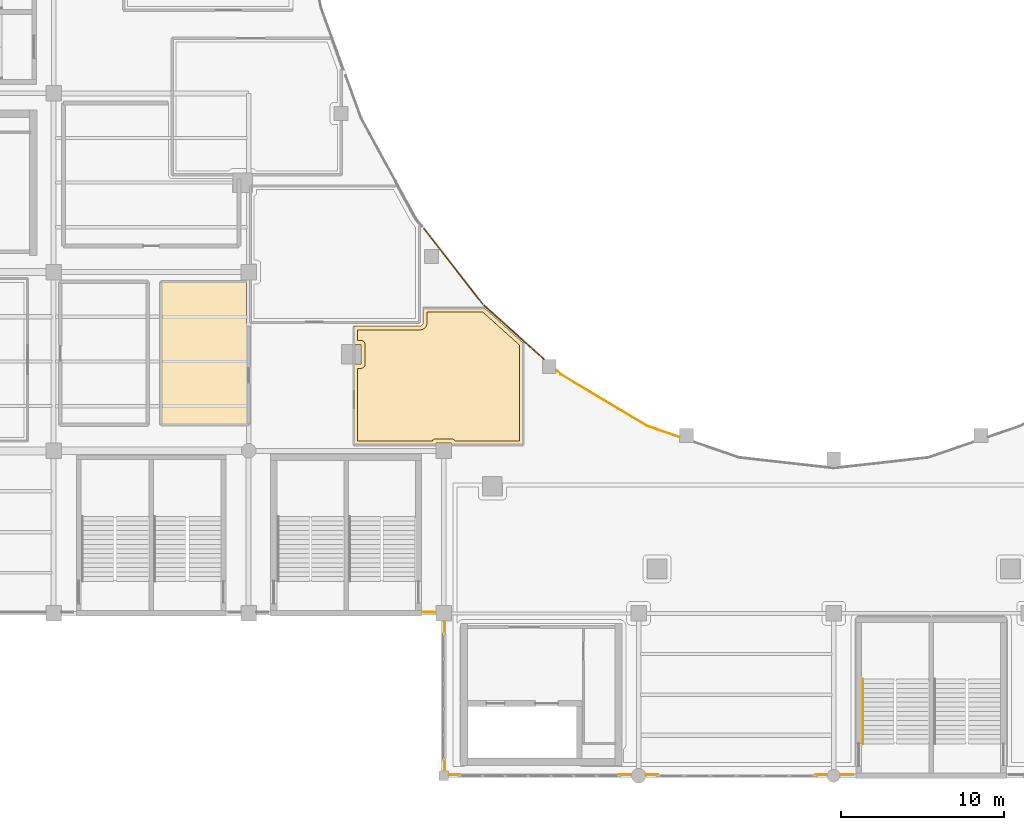
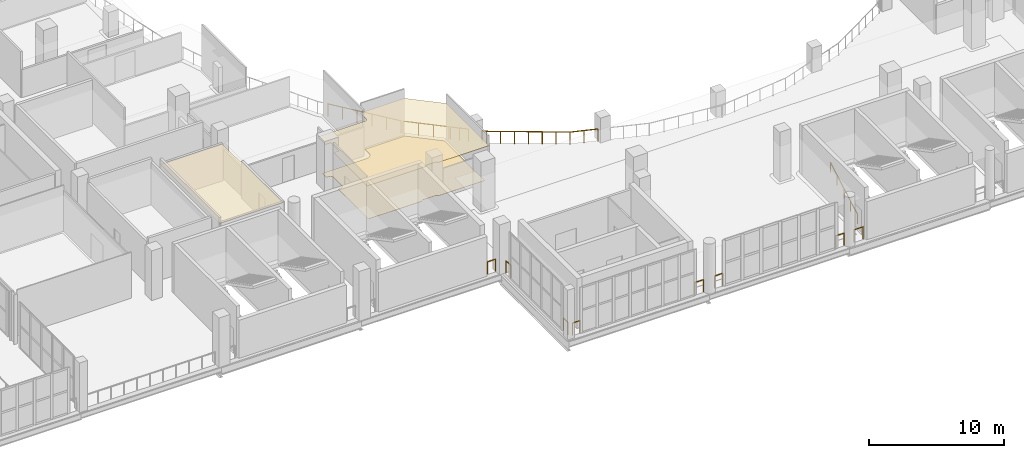
# One storey, part 78 of 90: 13 railings, 3 coverings.
"""IFC4 building model written with IfcOpenShell, lengths in metres."""

import ifcopenshell
import ifcopenshell.guid

model = None  # the IFC model being written
_history = None  # IfcOwnerHistory: only IFC2X3 demands one
_inside = {}  # id of a spatial element -> (the spatial element, [elements in it])
_under = {}  # id of a project, library or spatial element -> (it, [spatial elements below it])
_declared = {}  # id of a project -> (the project, [libraries it declares])
_typed = {}  # id of a type object -> (the type object, [elements of that type])
_made_of = {}  # id of a material, layer set ... -> (it, [elements and type objects made of it])


def new_model(schema):
    """Start an empty IFC model of exactly this schema.

    Asked for "IFC4X3", IfcOpenShell would pick the latest addendum, in which some entities
    have other attributes; the version numbers below select the first issue.
    IFC2X3 requires an IfcOwnerHistory on every rooted entity: one is made here for all.
    """
    global model, _history
    if schema == "IFC4X3":
        model = ifcopenshell.file(schema_version=(4, 3, 0, 0))
    else:
        model = ifcopenshell.file(schema=schema)
    _inside.clear()
    _under.clear()
    _declared.clear()
    _typed.clear()
    _made_of.clear()
    _history = None
    if model.schema == "IFC2X3":
        org = make("IfcOrganization", Name="unknown")
        user = make(
            "IfcPersonAndOrganization",
            ThePerson=make("IfcPerson", FamilyName="unknown"),
            TheOrganization=org,
        )
        app = make(
            "IfcApplication",
            ApplicationDeveloper=org,
            Version="unknown",
            ApplicationFullName="unknown",
            ApplicationIdentifier="unknown",
        )
        _history = make(
            "IfcOwnerHistory",
            OwningUser=user,
            OwningApplication=app,
            ChangeAction="ADDED",
            CreationDate=0,
        )
    return model


def make(cls, **values):
    """One entity of the class cls with the attributes given. An attribute that is None is left unset."""
    return model.create_entity(
        cls, **{name: value for name, value in values.items() if value is not None}
    )


def rooted(cls, **values):
    """An entity with a GlobalId (a new one), such as an element, a storey or a relation."""
    return make(cls, GlobalId=ifcopenshell.guid.new(), OwnerHistory=_history, **values)


def si_unit(unit_type, name, prefix=None):
    """IfcSIUnit, for example si_unit("LENGTHUNIT", "METRE", prefix="MILLI")."""
    return make("IfcSIUnit", UnitType=unit_type, Prefix=prefix, Name=name)


def assignment(units):
    """IfcUnitAssignment: the units of a project."""
    return None if units is None else make("IfcUnitAssignment", Units=units)


def point(xyz):
    """IfcCartesianPoint."""
    return None if xyz is None else make("IfcCartesianPoint", Coordinates=xyz)


def direction(xyz):
    """IfcDirection."""
    return None if xyz is None else make("IfcDirection", DirectionRatios=xyz)


def frame(location, z_axis=None, x_axis=None):
    """IfcAxis2Placement3D, a coordinate frame: its origin and axes. An axis left out is left unset."""
    return make(
        "IfcAxis2Placement3D",
        Location=point(location),
        Axis=direction(z_axis),
        RefDirection=direction(x_axis),
    )


def frame_2d(location, x_axis=None):
    """IfcAxis2Placement2D, a coordinate frame in the plane: its origin and x axis."""
    return make(
        "IfcAxis2Placement2D", Location=point(location), RefDirection=direction(x_axis)
    )


def origin():
    """The frame at (0, 0, 0) with its axes left unset."""
    return frame((0.0, 0.0, 0.0))


def origin_2d():
    """The frame at (0, 0) in the plane with its x axis left unset."""
    return frame_2d((0.0, 0.0))


def place(relative_to, where):
    """IfcLocalPlacement: puts the frame where relative to a parent placement (None: the world)."""
    return make(
        "IfcLocalPlacement", PlacementRelTo=relative_to, RelativePlacement=where
    )


def context(
    kind, dimensions, precision=None, world=None, true_north=None, identifier=None
):
    """IfcGeometricRepresentationContext, for example the 3D "Model" context."""
    return make(
        "IfcGeometricRepresentationContext",
        ContextIdentifier=identifier,
        ContextType=kind,
        CoordinateSpaceDimension=dimensions,
        Precision=precision,
        WorldCoordinateSystem=world,
        TrueNorth=true_north,
    )


def subcontext(parent, identifier, kind, view, scale=None):
    """IfcGeometricRepresentationSubContext, for example "Body" below "Model"."""
    return make(
        "IfcGeometricRepresentationSubContext",
        ContextIdentifier=identifier,
        ContextType=kind,
        ParentContext=parent,
        TargetScale=scale,
        TargetView=view,
    )


def project(units=None, contexts=None):
    """IfcProject with its units and contexts."""
    return rooted(
        "IfcProject",
        Name="project",
        RepresentationContexts=contexts,
        UnitsInContext=assignment(units),
    )


def spatial(cls, under=None, at=None, **own):
    """A site, building, storey or space (cls), placed at a placement, below another one or the project."""
    s = rooted(cls, ObjectPlacement=at, **own)
    if under is not None:
        _under.setdefault(under.id(), (under, []))[1].append(s)
    return s


def polyline(points):
    """IfcPolyline through the points."""
    return make("IfcPolyline", Points=[point(p) for p in points])


def profile(cls, at=None, kind="AREA", **sizes):
    """A parametric profile (cls). Its sizes go by their IFC names, for example OverallWidth=200.0."""
    return make(cls, ProfileType=kind, Position=at, **sizes)


def circle(**sizes):
    """IfcCircleProfileDef."""
    return profile("IfcCircleProfileDef", **sizes)


def outline(outer, holes=None, kind="AREA"):
    """IfcArbitraryClosedProfileDef: a profile drawn as a closed curve; with holes, ...WithVoids."""
    if holes is None:
        return make("IfcArbitraryClosedProfileDef", ProfileType=kind, OuterCurve=outer)
    return make(
        "IfcArbitraryProfileDefWithVoids",
        ProfileType=kind,
        OuterCurve=outer,
        InnerCurves=holes,
    )


def extrude(swept, where, along, depth):
    """IfcExtrudedAreaSolid: the profile swept, set in the frame where, extruded along a direction by depth."""
    return make(
        "IfcExtrudedAreaSolid",
        SweptArea=swept,
        Position=where,
        ExtrudedDirection=direction(along),
        Depth=depth,
    )


def shape(context_of_items, identifier, shape_type, items):
    """IfcShapeRepresentation: the items that make up one representation, for example the "Body"."""
    return make(
        "IfcShapeRepresentation",
        ContextOfItems=context_of_items,
        RepresentationIdentifier=identifier,
        RepresentationType=shape_type,
        Items=items,
    )


def material(Name=None, Category=None):
    """IfcMaterial."""
    return make("IfcMaterial", Name=Name, Category=Category)


def layer(
    of_material, thickness, ventilated=None, Name=None, Category=None, Priority=None
):
    """IfcMaterialLayer: one layer of a wall or slab, of a material (None: an air gap)."""
    return make(
        "IfcMaterialLayer",
        Material=of_material,
        LayerThickness=thickness,
        IsVentilated=ventilated,
        Name=Name,
        Category=Category,
        Priority=Priority,
    )


def layer_set(layers, Name=None):
    """IfcMaterialLayerSet."""
    return make("IfcMaterialLayerSet", MaterialLayers=layers, LayerSetName=Name)


def made_of(thing, what):
    """Note that an element or type object is made of a material, layer set ...; save() writes the relation."""
    if what is not None:
        _made_of.setdefault(what.id(), (what, []))[1].append(thing)
    return thing


def type_object(cls, material=None, **own):
    """A type object (cls), such as IfcWallType, which elements share."""
    return made_of(rooted(cls, **own), material)


def element(
    cls,
    number,
    at=None,
    inside=None,
    cuts=None,
    type_object=None,
    material=None,
    context=None,
    identifier="Body",
    shape_type=None,
    held_by="IfcProductDefinitionShape",
    body=None,
    shapes=None,
    **own,
):
    """One element of the class cls, such as IfcWall. Its Tag is "e" and its number.

    at: its placement. inside: the storey or other place that contains it. cuts: it is an
    opening in that element (IfcRelVoidsElement). A single representation is given by context,
    identifier, shape_type and body (its items); several are given by shapes. held_by: the class
    of the entity that holds the representations. save() writes the other relations.
    """
    e = rooted(cls, Tag="e%d" % number, ObjectPlacement=at, **own)
    if body is not None:
        shapes = [shape(context, identifier, shape_type, body)]
    if shapes is not None:
        e.Representation = make(held_by, Representations=shapes)
    if inside is not None:
        _inside.setdefault(inside.id(), (inside, []))[1].append(e)
    if cuts is not None:
        rooted(
            "IfcRelVoidsElement", RelatingBuildingElement=cuts, RelatedOpeningElement=e
        )
    if type_object is not None:
        _typed.setdefault(type_object.id(), (type_object, []))[1].append(e)
    return made_of(e, material)


def aggregate(whole, parts):
    """IfcRelAggregates: a whole, such as a stair, and the parts it consists of."""
    return rooted("IfcRelAggregates", RelatingObject=whole, RelatedObjects=parts)


def save(model, path):
    """Write the relations noted so far, then the file.

    IfcRelAggregates (storeys below a building ...), IfcRelContainedInSpatialStructure (elements
    in a storey), IfcRelDefinesByType, IfcRelAssociatesMaterial and IfcRelDeclares: one each for
    every whole, place, type object, material and project.
    """
    for whole, parts in _under.values():
        aggregate(whole, parts)
    for where, things in _inside.values():
        rooted(
            "IfcRelContainedInSpatialStructure",
            RelatedElements=things,
            RelatingStructure=where,
        )
    for kind, things in _typed.values():
        rooted("IfcRelDefinesByType", RelatedObjects=things, RelatingType=kind)
    for what, things in _made_of.values():
        rooted("IfcRelAssociatesMaterial", RelatedObjects=things, RelatingMaterial=what)
    for by, libraries in _declared.values():
        rooted("IfcRelDeclares", RelatingContext=by, RelatedDefinitions=libraries)
    model.write(path)


model = new_model("IFC4")

# Units and contexts
model_context = context("Model", 3, precision=1e-05, world=origin(), true_north=direction((0.0, 1.0)))
body_context = subcontext(model_context, "Body", "Model", "MODEL_VIEW")
ifc_project = project(units=[si_unit("LENGTHUNIT", "METRE"), si_unit("AREAUNIT", "SQUARE_METRE"), si_unit("VOLUMEUNIT", "CUBIC_METRE"), si_unit("PLANEANGLEUNIT", "RADIAN"), si_unit("MASSUNIT", "GRAM", prefix="KILO")], contexts=[model_context])

# Site, building, storey
site_placement = place(None, origin())
site = spatial("IfcSite", under=ifc_project, at=site_placement, CompositionType="ELEMENT")
building_placement = place(site_placement, origin())
building = spatial("IfcBuilding", under=site, at=building_placement, Name="Brinegate Civic Arena", CompositionType="ELEMENT")
storey_placement = place(building_placement, frame((0.0, 0.0, 14.699951171875)))
storey = spatial("IfcBuildingStorey", under=building, at=storey_placement, Name="L03", CompositionType="ELEMENT", Elevation=14.699951171875)

# Coverings
ifc_material_1 = material(Name="Acoustic perforated aluminium ceiling", Category="aluminium")
ifc_layer_1 = layer(ifc_material_1, 0.02490234375, Name="Acoustic perforated aluminium ceiling")
ifc_layer_set_1 = layer_set([ifc_layer_1], Name="Acoustic perforated aluminium ceiling")
covering_type_1 = type_object("IfcCoveringType", Name="CEILING-ACOUSTIC-25", PredefinedType="CEILING", material=ifc_layer_set_1)
covering_1_placement = place(storey_placement, frame((0.0, 0.0, 3.235107421875)))
element("IfcCovering", 1, at=covering_1_placement, inside=storey, type_object=covering_type_1, Name="Acoustic Ceiling L03-006", PredefinedType="CEILING", context=body_context, shape_type="SweptSolid", body=[
    extrude(outline(polyline([(71.85693359375, 30.419921875), (71.85888671875, 30.4189453125), (71.861083984375, 30.41796875), (71.862060546875, 30.41796875), (71.864013671875, 30.4169921875), (71.865966796875, 30.4150390625), (71.866943359375, 30.4140625), (71.867919921875, 30.4130859375), (71.8701171875, 30.410888671875), (71.87109375, 30.408935546875), (71.87109375, 30.407958984375), (71.8720703125, 30.406005859375), (71.873046875, 30.404052734375), (71.873046875, 30.402099609375), (71.873046875, 30.39990234375), (71.8740234375, 27.884033203125), (71.883056640625, 27.839111328125), (71.889892578125, 27.819091796875), (71.912109375, 27.779052734375), (71.925048828125, 27.760986328125), (71.95703125, 27.72900390625), (71.97509765625, 27.716064453125), (72.010009765625, 27.696044921875), (72.010986328125, 27.695068359375), (72.012939453125, 27.694091796875), (72.013916015625, 27.693115234375), (72.01611328125, 27.69189453125), (72.01708984375, 27.68994140625), (72.01806640625, 27.68798828125), (72.01904296875, 27.68701171875), (72.01904296875, 27.68505859375), (72.02001953125, 27.68310546875), (72.02001953125, 27.680908203125), (72.02001953125, 27.678955078125), (72.02001953125, 21.60009765625), (72.02001953125, 21.597900390625), (72.02001953125, 21.595947265625), (72.01904296875, 21.593994140625), (72.01806640625, 21.592041015625), (72.01806640625, 21.591064453125), (72.01708984375, 21.589111328125), (72.014892578125, 21.5869140625), (72.013916015625, 21.5859375), (72.012939453125, 21.5849609375), (72.010986328125, 21.5830078125), (72.009033203125, 21.58203125), (72.008056640625, 21.58203125), (72.006103515625, 21.5810546875), (72.00390625, 21.580078125), (72.001953125, 21.580078125), (72.0, 21.580078125), (66.60009765625, 21.580078125), (66.597900390625, 21.580078125), (66.595947265625, 21.580078125), (66.593994140625, 21.5810546875), (66.592041015625, 21.58203125), (66.591064453125, 21.58203125), (66.589111328125, 21.5830078125), (66.5869140625, 21.5849609375), (66.5859375, 21.5859375), (66.5849609375, 21.5869140625), (66.5830078125, 21.589111328125), (66.58203125, 21.591064453125), (66.58203125, 21.592041015625), (66.5810546875, 21.593994140625), (66.580078125, 21.595947265625), (66.580078125, 21.597900390625), (66.580078125, 21.60009765625), (66.580078125, 30.39990234375), (66.580078125, 30.402099609375), (66.580078125, 30.404052734375), (66.5810546875, 30.406005859375), (66.58203125, 30.407958984375), (66.58203125, 30.408935546875), (66.5830078125, 30.410888671875), (66.5849609375, 30.4130859375), (66.5859375, 30.4140625), (66.5869140625, 30.4150390625), (66.589111328125, 30.4169921875), (66.591064453125, 30.41796875), (66.592041015625, 30.41796875), (66.593994140625, 30.4189453125), (66.595947265625, 30.419921875), (66.597900390625, 30.419921875), (66.60009765625, 30.419921875), (71.85302734375, 30.419921875), (71.85498046875, 30.419921875), (71.85693359375, 30.419921875)])), origin(), (0.0, 0.0, 1.0), 0.02490234375),
])
ifc_layer_2 = layer(ifc_material_1, 0.044921875, Name="Acoustic perforated aluminium ceiling")
ifc_layer_set_2 = layer_set([ifc_layer_2], Name="Acoustic perforated aluminium ceiling")
covering_type_2 = type_object("IfcCoveringType", Name="CEILING-BAFFLE-45", PredefinedType="CEILING", material=ifc_layer_set_2)
covering_2_placement = place(storey_placement, frame((0.0, 0.0, 3.215087890625)))
element("IfcCovering", 2, at=covering_2_placement, inside=storey, type_object=covering_type_2, Name="Acoustic Ceiling L03-209", PredefinedType="CEILING", context=body_context, shape_type="SweptSolid", body=[
    extrude(outline(polyline([(78.47705078125, 20.34912109375), (78.47509765625, 20.35009765625), (78.472900390625, 20.35107421875), (78.471923828125, 20.35107421875), (78.469970703125, 20.35205078125), (78.468017578125, 20.35400390625), (78.467041015625, 20.35498046875), (78.466064453125, 20.35595703125), (78.464111328125, 20.35791015625), (78.462890625, 20.360107421875), (78.462890625, 20.361083984375), (78.4619140625, 20.363037109375), (78.4609375, 20.364990234375), (78.4609375, 20.366943359375), (78.4609375, 20.368896484375), (78.4609375, 25.327880859375), (78.912109375, 25.327880859375), (78.912109375, 26.548095703125), (78.4609375, 26.548095703125), (78.4609375, 27.656982421875), (78.4609375, 27.658935546875), (78.4609375, 27.660888671875), (78.4619140625, 27.6630859375), (78.462890625, 27.6650390625), (78.462890625, 27.666015625), (78.464111328125, 27.66796875), (78.466064453125, 27.669921875), (78.467041015625, 27.6708984375), (78.468017578125, 27.672119140625), (78.469970703125, 27.674072265625), (78.471923828125, 27.675048828125), (78.472900390625, 27.675048828125), (78.47509765625, 27.676025390625), (78.47705078125, 27.677001953125), (78.47900390625, 27.677001953125), (78.48095703125, 27.677001953125), (82.52587890625, 27.677978515625), (82.571044921875, 27.68701171875), (82.591064453125, 27.694091796875), (82.611083984375, 27.7041015625), (82.64892578125, 27.72998046875), (82.680908203125, 27.760986328125), (82.694091796875, 27.779052734375), (82.715087890625, 27.819091796875), (82.72802734375, 27.862060546875), (82.73291015625, 27.907958984375), (82.73291015625, 28.76904296875), (82.73291015625, 28.77099609375), (82.73291015625, 28.77294921875), (82.73388671875, 28.77490234375), (82.735107421875, 28.777099609375), (82.735107421875, 28.778076171875), (82.736083984375, 28.780029296875), (82.738037109375, 28.781982421875), (82.739013671875, 28.782958984375), (82.739990234375, 28.783935546875), (82.741943359375, 28.785888671875), (82.743896484375, 28.787109375), (82.7451171875, 28.787109375), (82.7470703125, 28.7880859375), (82.7490234375, 28.7890625), (82.7509765625, 28.7890625), (82.7529296875, 28.7890625), (86.491943359375, 28.7890625), (86.493896484375, 28.7890625), (86.49609375, 28.7890625), (86.498046875, 28.7880859375), (86.5, 28.787109375), (86.501953125, 28.785888671875), (86.50390625, 28.784912109375), (86.5048828125, 28.783935546875), (88.89404296875, 26.635986328125), (88.89599609375, 26.635009765625), (88.89697265625, 26.633056640625), (88.89794921875, 26.632080078125), (88.89892578125, 26.6298828125), (88.89990234375, 26.6279296875), (88.89990234375, 26.626953125), (88.90087890625, 26.625), (88.90087890625, 26.623046875), (88.90087890625, 26.62109375), (88.90087890625, 20.368896484375), (88.90087890625, 20.366943359375), (88.90087890625, 20.364990234375), (88.89990234375, 20.363037109375), (88.89892578125, 20.361083984375), (88.89892578125, 20.360107421875), (88.89794921875, 20.35791015625), (88.89599609375, 20.35595703125), (88.89501953125, 20.35498046875), (88.89404296875, 20.35400390625), (88.89208984375, 20.35205078125), (88.889892578125, 20.35107421875), (88.888916015625, 20.35107421875), (88.886962890625, 20.35009765625), (88.885009765625, 20.34912109375), (88.883056640625, 20.34912109375), (88.881103515625, 20.34912109375), (84.485107421875, 20.34912109375), (84.485107421875, 20.485107421875), (83.514892578125, 20.485107421875), (83.514892578125, 20.34912109375), (78.48095703125, 20.34912109375), (78.47900390625, 20.34912109375), (78.47705078125, 20.34912109375)])), origin(), (0.0, 0.0, 1.0), 0.044921875),
])
ifc_material_2 = material(Name="Polished coral terrazzo flooring")
ifc_layer_3 = layer(ifc_material_2, 0.028076171875, Name="Polished coral terrazzo flooring")
ifc_layer_set_3 = layer_set([ifc_layer_3], Name="Polished coral terrazzo flooring")
covering_type_3 = type_object("IfcCoveringType", Name="FLOORING-TERRAZZO-28", PredefinedType="FLOORING", material=ifc_layer_set_3)
covering_3_placement = place(storey_placement, origin())
element("IfcCovering", 3, at=covering_3_placement, inside=storey, type_object=covering_type_3, Name="Flooring L03-209", PredefinedType="FLOORING", context=body_context, shape_type="SweptSolid", body=[
    extrude(outline(polyline([(78.7109375, 20.59912109375), (78.7109375, 25.077880859375), (78.912109375, 25.077880859375), (78.93701171875, 25.0791015625), (78.9609375, 25.0830078125), (78.985107421875, 25.089111328125), (79.008056640625, 25.096923828125), (79.030029296875, 25.10791015625), (79.051025390625, 25.1201171875), (79.071044921875, 25.135009765625), (79.089111328125, 25.15087890625), (79.10498046875, 25.1689453125), (79.1201171875, 25.18896484375), (79.132080078125, 25.2099609375), (79.14306640625, 25.23193359375), (79.15087890625, 25.2548828125), (79.156982421875, 25.279052734375), (79.160888671875, 25.302978515625), (79.162109375, 25.327880859375), (79.162109375, 26.548095703125), (79.160888671875, 26.572998046875), (79.156982421875, 26.596923828125), (79.15087890625, 26.62109375), (79.14306640625, 26.64404296875), (79.132080078125, 26.666015625), (79.1201171875, 26.68701171875), (79.10498046875, 26.70703125), (79.089111328125, 26.72509765625), (79.071044921875, 26.740966796875), (79.051025390625, 26.756103515625), (79.030029296875, 26.76806640625), (79.008056640625, 26.779052734375), (78.985107421875, 26.787109375), (78.9609375, 26.79296875), (78.93701171875, 26.797119140625), (78.912109375, 26.798095703125), (78.7109375, 26.798095703125), (78.7109375, 27.427001953125), (82.52587890625, 27.427978515625), (82.552001953125, 27.428955078125), (82.576904296875, 27.43310546875), (82.6220703125, 27.443115234375), (82.653076171875, 27.450927734375), (82.673095703125, 27.4580078125), (82.702880859375, 27.470947265625), (82.722900390625, 27.48095703125), (82.748046875, 27.49609375), (82.787109375, 27.52099609375), (82.806884765625, 27.535888671875), (82.825927734375, 27.552978515625), (82.85791015625, 27.583984375), (82.881103515625, 27.611083984375), (82.89404296875, 27.62890625), (82.905029296875, 27.64404296875), (82.9150390625, 27.660888671875), (82.93603515625, 27.700927734375), (82.947021484375, 27.72412109375), (82.955078125, 27.7470703125), (82.968017578125, 27.791015625), (82.97412109375, 27.81298828125), (82.97705078125, 27.8369140625), (82.98193359375, 27.883056640625), (82.98291015625, 27.907958984375), (82.98291015625, 28.5390625), (86.404052734375, 28.5390625), (88.65087890625, 26.51904296875), (88.65087890625, 20.59912109375), (84.70703125, 20.59912109375), (84.705078125, 20.60302734375), (84.693115234375, 20.6240234375), (84.677978515625, 20.64404296875), (84.662109375, 20.662109375), (84.64404296875, 20.677978515625), (84.6240234375, 20.693115234375), (84.60302734375, 20.705078125), (84.5810546875, 20.716064453125), (84.55810546875, 20.72412109375), (84.533935546875, 20.72998046875), (84.510009765625, 20.73388671875), (84.485107421875, 20.735107421875), (83.514892578125, 20.735107421875), (83.489990234375, 20.73388671875), (83.466064453125, 20.72998046875), (83.44189453125, 20.72412109375), (83.4189453125, 20.716064453125), (83.39697265625, 20.705078125), (83.3759765625, 20.693115234375), (83.35595703125, 20.677978515625), (83.337890625, 20.662109375), (83.322021484375, 20.64404296875), (83.306884765625, 20.6240234375), (83.294921875, 20.60302734375), (83.29296875, 20.59912109375), (78.7109375, 20.59912109375)])), origin(), (0.0, 0.0, 1.0), 0.028076171875),
])

# Railings
ifc_material_3 = material(Name="Architectural stainless steel balustrade", Category="steel")
railing_type_1 = type_object("IfcRailingType", Name="RAIL-STAIR-HANDRAIL-900", PredefinedType="HANDRAIL", material=ifc_material_3)
railing_1_placement = place(storey_placement, frame((109.804931640625, 1.969970703125, 0.0)))
element("IfcRailing", 4, at=railing_1_placement, inside=storey, type_object=railing_type_1, Name="Stair Pitch Handrail ST-16A L03", PredefinedType="HANDRAIL", context=body_context, shape_type="SweptSolid", body=[
    extrude(circle(Radius=0.02392578125, at=origin_2d()), frame((0.0, 0.001220703125, 0.876708984375), z_axis=(0.0, 0.871049806155, 0.491194701923), x_axis=(-1.0, 0.0, 0.0)), (0.0, 0.0, 1.0), 4.57763671875),
    extrude(circle(Radius=0.02099609375, at=origin_2d()), origin(), (0.0, 0.0, 1.0), 0.849853515625),
    extrude(circle(Radius=0.02099609375, at=origin_2d()), frame((0.0, 0.99755859375, 0.5625)), (0.0, 0.0, 1.0), 0.849853515625),
    extrude(circle(Radius=0.02099609375, at=origin_2d()), frame((0.0, 1.9951171875, 1.125)), (0.0, 0.0, 1.0), 0.849853515625),
    extrude(circle(Radius=0.02099609375, at=origin_2d()), frame((0.0, 2.992431640625, 1.6875)), (0.0, 0.0, 1.0), 0.849853515625),
    extrude(circle(Radius=0.02099609375, at=origin_2d()), frame((0.0, 3.989990234375, 2.25)), (0.0, 0.0, 1.0), 0.849853515625),
])
railing_type_2 = type_object("IfcRailingType", Name="RAIL-VOID-BALUSTRADE-1120", PredefinedType="BALUSTRADE", material=ifc_material_3)
railing_2_placement = place(storey_placement, frame((109.199951171875, 0.070068359375, 0.0)))
element("IfcRailing", 5, at=railing_2_placement, inside=storey, type_object=railing_type_2, Name="Deck Edge Balustrade L03-284", PredefinedType="BALUSTRADE", context=body_context, shape_type="SweptSolid", body=[
    extrude(circle(Radius=0.02392578125, at=origin_2d()), frame((-0.00146484375, 0.0, 1.09619140625), z_axis=(-1.0, 0.0, 0.0), x_axis=(0.0, -1.0, 0.0)), (0.0, 0.0, 1.0), 0.777099609375),
    extrude(circle(Radius=0.02099609375, at=origin_2d()), origin(), (0.0, 0.0, 1.0), 1.070068359375),
    extrude(circle(Radius=0.02099609375, at=origin_2d()), frame((-0.780029296875, 0.0, 0.0)), (0.0, 0.0, 1.0), 1.070068359375),
])
railing_3_placement = place(storey_placement, frame((107.580078125, 0.070068359375, 0.0)))
element("IfcRailing", 6, at=railing_3_placement, inside=storey, type_object=railing_type_2, Name="Deck Edge Balustrade L03-285", PredefinedType="BALUSTRADE", context=body_context, shape_type="SweptSolid", body=[
    extrude(circle(Radius=0.02392578125, at=origin_2d()), frame((-0.00146484375, 0.0, 1.09619140625), z_axis=(-1.0, 0.0, 0.0), x_axis=(0.0, -1.0, 0.0)), (0.0, 0.0, 1.0), 0.693115234375),
    extrude(circle(Radius=0.02099609375, at=origin_2d()), origin(), (0.0, 0.0, 1.0), 1.070068359375),
    extrude(circle(Radius=0.02099609375, at=origin_2d()), frame((-0.696044921875, 0.0, 0.0)), (0.0, 0.0, 1.0), 1.070068359375),
])
for number, where, name in (
    (7, (97.18603515625, 0.070068359375, 0.0), "Deck Edge Balustrade L03-286"),
    (8, (95.530029296875, 0.070068359375, 0.0), "Deck Edge Balustrade L03-287"),
):
    element("IfcRailing", number, at=place(storey_placement, frame(where)), inside=storey, type_object=railing_type_2, Name=name, PredefinedType="BALUSTRADE", context=body_context, shape_type="SweptSolid", body=[
        extrude(circle(Radius=0.02392578125, at=origin_2d()), frame((-0.00146484375, 0.0, 1.09619140625), z_axis=(-1.0, 0.0, 0.0), x_axis=(0.0, -1.0, 0.0)), (0.0, 0.0, 1.0), 0.713134765625),
        extrude(circle(Radius=0.02099609375, at=origin_2d()), origin(), (0.0, 0.0, 1.0), 1.070068359375),
        extrude(circle(Radius=0.02099609375, at=origin_2d()), frame((-0.716064453125, 0.0, 0.0)), (0.0, 0.0, 1.0), 1.070068359375),
    ])
railing_4_placement = place(storey_placement, frame((84.97412109375, 0.070068359375, 0.0)))
element("IfcRailing", 9, at=railing_4_placement, inside=storey, type_object=railing_type_2, Name="Deck Edge Balustrade L03-288", PredefinedType="BALUSTRADE", context=body_context, shape_type="SweptSolid", body=[
    extrude(circle(Radius=0.02392578125, at=origin_2d()), frame((-0.00146484375, 0.0, 1.09619140625), z_axis=(-1.0, 0.0, 0.0), x_axis=(0.0, -1.0, 0.0)), (0.0, 0.0, 1.0), 0.651123046875),
    extrude(circle(Radius=0.02099609375, at=origin_2d()), origin(), (0.0, 0.0, 1.0), 1.070068359375),
    extrude(circle(Radius=0.02099609375, at=origin_2d()), frame((-0.654052734375, 0.0, 0.0)), (0.0, 0.0, 1.0), 1.070068359375),
])
railing_5_placement = place(storey_placement, frame((84.070068359375, 0.320068359375, 0.0)))
element("IfcRailing", 10, at=railing_5_placement, inside=storey, type_object=railing_type_2, Name="Deck Edge Balustrade L03-289", PredefinedType="BALUSTRADE", context=body_context, shape_type="SweptSolid", body=[
    extrude(circle(Radius=0.02392578125, at=origin_2d()), frame((0.0, 0.00146484375, 1.09619140625), z_axis=(0.0, 1.0, 0.0), x_axis=(-1.0, 0.0, 0.0)), (0.0, 0.0, 1.0), 0.651123046875),
    extrude(circle(Radius=0.02099609375, at=origin_2d()), origin(), (0.0, 0.0, 1.0), 1.070068359375),
    extrude(circle(Radius=0.02099609375, at=origin_2d()), frame((0.0, 0.654052734375, 0.0)), (0.0, 0.0, 1.0), 1.070068359375),
])
railing_6_placement = place(storey_placement, frame((84.070068359375, 8.778076171875, 0.0)))
element("IfcRailing", 11, at=railing_6_placement, inside=storey, type_object=railing_type_2, Name="Deck Edge Balustrade L03-290", PredefinedType="BALUSTRADE", context=body_context, shape_type="SweptSolid", body=[
    extrude(circle(Radius=0.02392578125, at=origin_2d()), frame((0.0, 0.00146484375, 1.09619140625), z_axis=(0.0, 1.0, 0.0), x_axis=(-1.0, 0.0, 0.0)), (0.0, 0.0, 1.0), 0.723876953125),
    extrude(circle(Radius=0.02099609375, at=origin_2d()), origin(), (0.0, 0.0, 1.0), 1.070068359375),
    extrude(circle(Radius=0.02099609375, at=origin_2d()), frame((0.0, 0.726806640625, 0.0)), (0.0, 0.0, 1.0), 1.070068359375),
])
railing_7_placement = place(storey_placement, frame((83.5048828125, 10.070068359375, 0.0)))
element("IfcRailing", 12, at=railing_7_placement, inside=storey, type_object=railing_type_2, Name="Deck Edge Balustrade L03-291", PredefinedType="BALUSTRADE", context=body_context, shape_type="SweptSolid", body=[
    extrude(circle(Radius=0.02392578125, at=origin_2d()), frame((-0.00146484375, 0.0, 1.09619140625), z_axis=(-1.0, 0.0, 0.0), x_axis=(0.0, -1.0, 0.0)), (0.0, 0.0, 1.0), 0.701904296875),
    extrude(circle(Radius=0.02099609375, at=origin_2d()), origin(), (0.0, 0.0, 1.0), 1.070068359375),
    extrude(circle(Radius=0.02099609375, at=origin_2d()), frame((-0.704833984375, 0.0, 0.0)), (0.0, 0.0, 1.0), 1.070068359375),
])
railing_8_placement = place(storey_placement, frame((82.782958984375, 33.675048828125, 0.0)))
element("IfcRailing", 13, at=railing_8_placement, inside=storey, type_object=railing_type_2, Name="Deck Edge Balustrade L03-319", PredefinedType="BALUSTRADE", context=body_context, shape_type="SweptSolid", body=[
    extrude(circle(Radius=0.02392578125, at=origin_2d()), frame((0.0009765625, -0.001220703125, 1.09619140625), z_axis=(0.614580272667, -0.788854288477, 0.0), x_axis=(0.788854288477, 0.614580272667, 0.0)), (0.0, 0.0, 1.0), 5.861083984375),
    extrude(circle(Radius=0.02099609375, at=origin_2d()), origin(), (0.0, 0.0, 1.0), 1.070068359375),
    extrude(circle(Radius=0.02099609375, at=origin_2d()), frame((0.720703125, -0.92529296875, 0.0)), (0.0, 0.0, 1.0), 1.070068359375),
    extrude(circle(Radius=0.02099609375, at=origin_2d()), frame((1.441650390625, -1.850341796875, 0.0)), (0.0, 0.0, 1.0), 1.070068359375),
    extrude(circle(Radius=0.02099609375, at=origin_2d()), frame((2.162353515625, -2.775634765625, 0.0)), (0.0, 0.0, 1.0), 1.070068359375),
    extrude(circle(Radius=0.02099609375, at=origin_2d()), frame((2.88330078125, -3.70068359375, 0.0)), (0.0, 0.0, 1.0), 1.070068359375),
    extrude(circle(Radius=0.02099609375, at=origin_2d()), frame((3.60400390625, -4.6259765625, 0.0)), (0.0, 0.0, 1.0), 1.070068359375),
])
railing_9_placement = place(storey_placement, frame((86.491943359375, 28.943115234375, 0.0)))
element("IfcRailing", 14, at=railing_9_placement, inside=storey, type_object=railing_type_2, Name="Deck Edge Balustrade L03-320", PredefinedType="BALUSTRADE", context=body_context, shape_type="SweptSolid", body=[
    extrude(circle(Radius=0.02392578125, at=origin_2d()), frame((0.001220703125, -0.0009765625, 1.09619140625), z_axis=(0.74380411256, -0.668397667664, 0.0), x_axis=(0.668397667664, 0.74380411256, 0.0)), (0.0, 0.0, 1.0), 3.470947265625),
    extrude(circle(Radius=0.02099609375, at=origin_2d()), origin(), (0.0, 0.0, 1.0), 1.070068359375),
    extrude(circle(Radius=0.02099609375, at=origin_2d()), frame((0.861328125, -0.77392578125, 0.0)), (0.0, 0.0, 1.0), 1.070068359375),
    extrude(circle(Radius=0.02099609375, at=origin_2d()), frame((1.72265625, -1.548095703125, 0.0)), (0.0, 0.0, 1.0), 1.070068359375),
    extrude(circle(Radius=0.02099609375, at=origin_2d()), frame((2.583984375, -2.322021484375, 0.0)), (0.0, 0.0, 1.0), 1.070068359375),
])
railing_10_placement = place(storey_placement, frame((89.160888671875, 26.5439453125, 0.0)))
element("IfcRailing", 15, at=railing_10_placement, inside=storey, type_object=railing_type_2, Name="Deck Edge Balustrade L03-321", PredefinedType="BALUSTRADE", context=body_context, shape_type="SweptSolid", body=[
    extrude(circle(Radius=0.02392578125, at=origin_2d()), frame((0.001220703125, -0.0009765625, 1.09619140625), z_axis=(0.7437870628, -0.668416640436, 0.0), x_axis=(0.668416640436, 0.7437870628, 0.0)), (0.0, 0.0, 1.0), 1.35107421875),
    extrude(circle(Radius=0.02099609375, at=origin_2d()), origin(), (0.0, 0.0, 1.0), 1.070068359375),
    extrude(circle(Radius=0.02099609375, at=origin_2d()), frame((0.50341796875, -0.45263671875, 0.0)), (0.0, 0.0, 1.0), 1.070068359375),
    extrude(circle(Radius=0.02099609375, at=origin_2d()), frame((1.007080078125, -0.905029296875, 0.0)), (0.0, 0.0, 1.0), 1.070068359375),
])
railing_11_placement = place(storey_placement, frame((90.945068359375, 24.94091796875, 0.0)))
element("IfcRailing", 16, at=railing_11_placement, inside=storey, type_object=railing_type_2, Name="Deck Edge Balustrade L03-322", PredefinedType="BALUSTRADE", context=body_context, shape_type="SweptSolid", body=[
    extrude(circle(Radius=0.02392578125, at=origin_2d()), frame((0.001220703125, -0.0009765625, 1.09619140625), z_axis=(0.743434153976, -0.668809134732, 0.0), x_axis=(0.668809134732, 0.743434153976, 0.0)), (0.0, 0.0, 1.0), 0.34375),
    extrude(circle(Radius=0.02392578125, at=origin_2d()), frame((0.259033203125, -0.232666015625, 1.09619140625), z_axis=(0.857914306851, -0.513792800747, 0.0), x_axis=(0.513792800747, 0.857914306851, 0.0)), (0.0, 0.0, 1.0), 6.178466796875),
    extrude(circle(Radius=0.02392578125, at=origin_2d()), frame((5.5625, -3.408447265625, 1.09619140625), z_axis=(0.945397630459, -0.325919192932, 0.0), x_axis=(0.325919192932, 0.945397630459, 0.0)), (0.0, 0.0, 1.0), 2.101806640625),
    extrude(circle(Radius=0.02099609375, at=origin_2d()), origin(), (0.0, 0.0, 1.0), 1.070068359375),
    extrude(circle(Radius=0.02099609375, at=origin_2d()), frame((0.2578125, -0.23193359375, 0.0)), (0.0, 0.0, 1.0), 1.070068359375),
    extrude(circle(Radius=0.02099609375, at=origin_2d()), frame((1.1416015625, -0.76123046875, 0.0)), (0.0, 0.0, 1.0), 1.070068359375),
    extrude(circle(Radius=0.02099609375, at=origin_2d()), frame((2.025634765625, -1.29052734375, 0.0)), (0.0, 0.0, 1.0), 1.070068359375),
    extrude(circle(Radius=0.02099609375, at=origin_2d()), frame((2.909423828125, -1.81982421875, 0.0)), (0.0, 0.0, 1.0), 1.070068359375),
    extrude(circle(Radius=0.02099609375, at=origin_2d()), frame((3.793212890625, -2.349365234375, 0.0)), (0.0, 0.0, 1.0), 1.070068359375),
    extrude(circle(Radius=0.02099609375, at=origin_2d()), frame((4.67724609375, -2.878662109375, 0.0)), (0.0, 0.0, 1.0), 1.070068359375),
    extrude(circle(Radius=0.02099609375, at=origin_2d()), frame((5.56103515625, -3.407958984375, 0.0)), (0.0, 0.0, 1.0), 1.070068359375),
    extrude(circle(Radius=0.02099609375, at=origin_2d()), frame((6.55615234375, -3.7509765625, 0.0)), (0.0, 0.0, 1.0), 1.070068359375),
    extrude(circle(Radius=0.02099609375, at=origin_2d()), frame((7.551025390625, -4.093994140625, 0.0)), (0.0, 0.0, 1.0), 1.070068359375),
])

save(model, "model.ifc")
